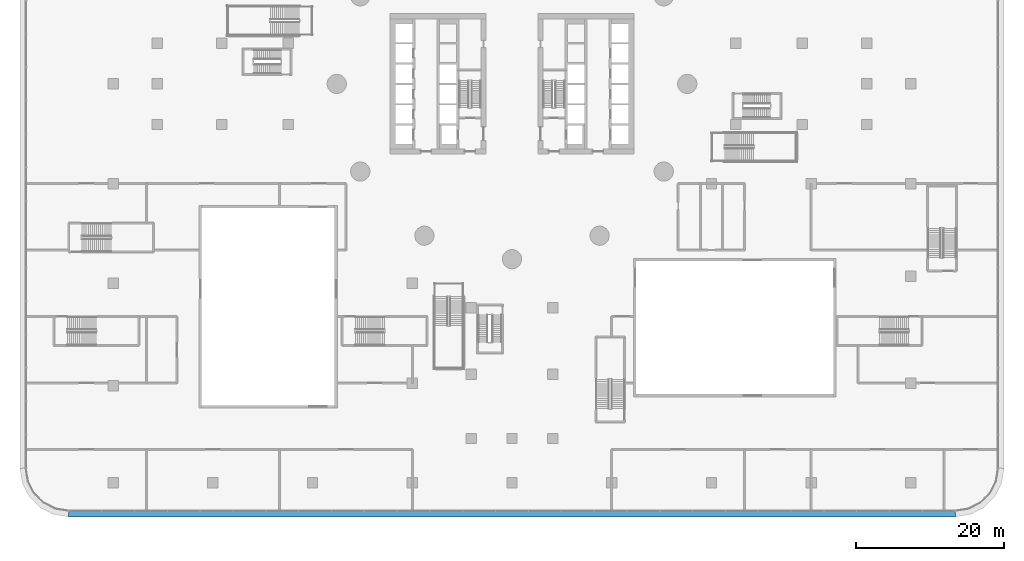
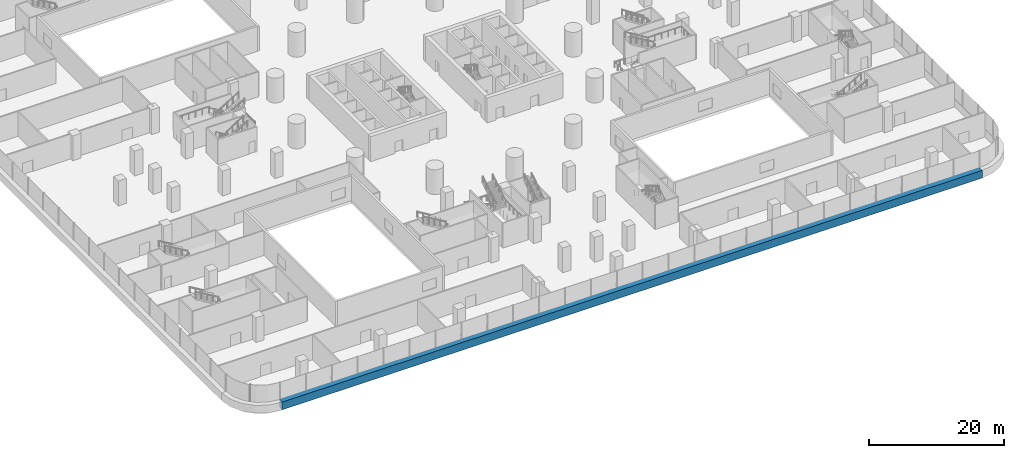
# One storey, part 7 of 44: 1 member, 1 element without a shape of its own.
"""IFC4 building model written with IfcOpenShell, lengths in metres."""

from ifc_helpers import new_model, si_unit, direction, frame, origin, place, context, subcontext, project, spatial, polyline, outline, extrude, material, layer, layer_set, type_object, element, aggregate, save


model = new_model("IFC4")

# Units and contexts
model_context = context("Model", 3, precision=1e-05, world=origin(), true_north=direction((0.0, 1.0)))
body_context = subcontext(model_context, "Body", "Model", "MODEL_VIEW")
ifc_project = project(units=[si_unit("LENGTHUNIT", "METRE"), si_unit("AREAUNIT", "SQUARE_METRE"), si_unit("VOLUMEUNIT", "CUBIC_METRE"), si_unit("PLANEANGLEUNIT", "RADIAN"), si_unit("MASSUNIT", "GRAM", prefix="KILO")], contexts=[model_context])

# Site, building, storey
site_placement = place(None, origin())
site = spatial("IfcSite", under=ifc_project, at=site_placement, CompositionType="ELEMENT")
building_placement = place(site_placement, origin())
building = spatial("IfcBuilding", under=site, at=building_placement, Name="Tamarind Cross Interchange Tower", CompositionType="ELEMENT")
storey_placement = place(building_placement, frame((0.0, 0.0, 15.0)))
storey = spatial("IfcBuildingStorey", under=building, at=storey_placement, Name="L02", CompositionType="ELEMENT", Elevation=15.0)

# Curtain wall, member
ifc_material_1 = material(Name="Aluminium 6063-T6", Category="aluminium")
ifc_layer = layer(ifc_material_1, 0.199951171875)
ifc_layer_set = layer_set([ifc_layer], Name="Aluminium 6063-T6")
curtain_wall_type = type_object("IfcCurtainWallType", Name="Podium shopfront and station curtain wall", PredefinedType="NOTDEFINED", material=ifc_layer_set)
curtain_wall_placement = place(storey_placement, origin())
curtain_wall = element("IfcCurtainWall", 1, at=curtain_wall_placement, inside=storey, type_object=curtain_wall_type, Name="CWS-L02-06", PredefinedType="NOTDEFINED")
ifc_material_2 = material(Name="Aluminium and insulated spandrel panel", Category="aluminium")
member_type = type_object("IfcMemberType", Name="Floor-edge blade transom", PredefinedType="USERDEFINED", material=ifc_material_2)
member_placement = place(storey_placement, origin())
member = element("IfcMember", 2, at=member_placement, type_object=member_type, Name="CWT-L02-06", ObjectType="TRANSOM", PredefinedType="USERDEFINED", context=body_context, shape_type="SweptSolid", body=[
    extrude(outline(polyline([(-59.976318359375, -57.699951171875), (59.976318359375, -57.699951171875), (60.047119140625, -58.60009765625), (-60.047119140625, -58.60009765625), (-59.976318359375, -57.699951171875)])), origin(), (0.0, 0.0, 1.0), 1.39990234375),
])
aggregate(curtain_wall, [member])

save(model, "model.ifc")
